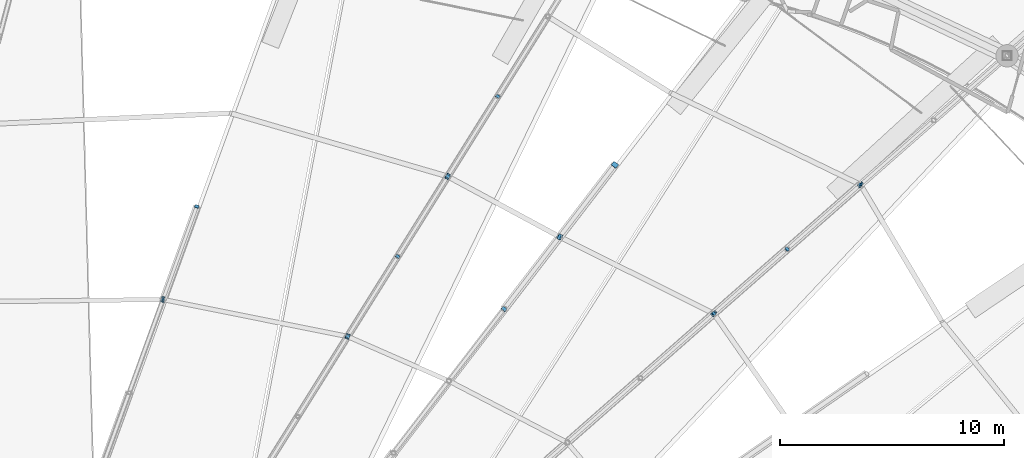
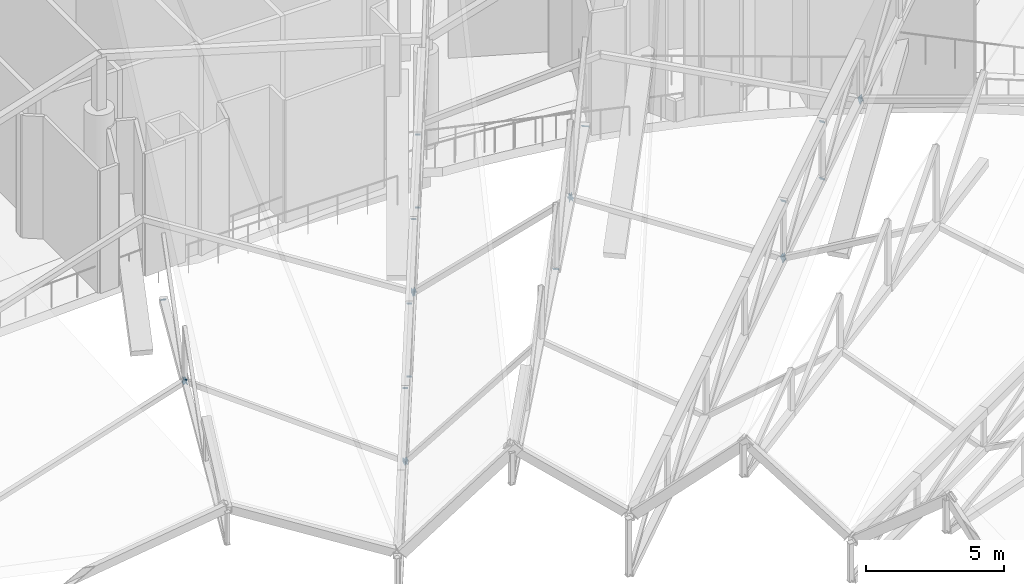
# One storey, part 333 of 344: 30 discrete accessories.
"""IFC4 building model written with IfcOpenShell, lengths in metres."""

from ifc_helpers import new_model, si_unit, direction, frame, origin, origin_2d, place, context, subcontext, project, spatial, rectangle, extrude, material, material_profile, profile_set, type_object, element, save


model = new_model("IFC4")

# Units and contexts
model_context = context("Model", 3, precision=1e-05, world=origin(), true_north=direction((0.0, 1.0)))
body_context = subcontext(model_context, "Body", "Model", "MODEL_VIEW")
ifc_project = project(units=[si_unit("LENGTHUNIT", "METRE"), si_unit("AREAUNIT", "SQUARE_METRE"), si_unit("VOLUMEUNIT", "CUBIC_METRE"), si_unit("PLANEANGLEUNIT", "RADIAN"), si_unit("MASSUNIT", "GRAM", prefix="KILO")], contexts=[model_context])

# Site, building, storey
site_placement = place(None, origin())
site = spatial("IfcSite", under=ifc_project, at=site_placement, CompositionType="ELEMENT")
building_placement = place(site_placement, origin())
building = spatial("IfcBuilding", under=site, at=building_placement, Name="Meseta Stadium", CompositionType="ELEMENT")
storey_placement = place(building_placement, frame((0.0, 0.0, 24.0)))
storey = spatial("IfcBuildingStorey", under=building, at=storey_placement, Name="L04", CompositionType="ELEMENT", Elevation=24.0)

# Discrete accessories
ifc_material_1 = material(Name="Steel S355", Category="steel")
ifc_material_profile_1 = material_profile(ifc_material_1, rectangle(XDim=0.179931640625, YDim=0.179931640625, at=origin_2d()), Name="PL 180x180")
ifc_profile_set_1 = profile_set([ifc_material_profile_1], Name="Steel S355")
discrete_accessory_type_1 = type_object("IfcDiscreteAccessoryType", Name="End plate 180x180x20", PredefinedType="ANCHORPLATE", material=ifc_profile_set_1)
for number, where, z_axis, x_axis, name in (
    (1, (51.51416015625, 73.2724609375, 5.814453125), (0.613369973061, 0.539765576293, 0.576567774677), (-0.660627894892, 0.750713516923, 0.0), "End plate of ROOF TRUSS RT-13 diagonal"),
    (2, (51.501953125, 73.26171875, 3.30908203125), (0.609031921418, 0.535948090848, 0.584670644561), (-0.660627894892, 0.750713516923, 0.0), "End plate of ROOF TRUSS RT-13 diagonal"),
    (3, (54.791259765625, 76.15234375, 6.417724609375), (0.613369973061, 0.539765576293, 0.576567774677), (-0.660627894892, 0.750713516923, 0.0), "End plate of ROOF TRUSS RT-13 diagonal"),
    (4, (54.77880859375, 76.1416015625, 3.91259765625), (0.620936240212, 0.535709697438, 0.572235358627), (-0.653233256547, 0.757156729179, 0.0), "End plate of ROOF TRUSS RT-13 diagonal"),
    (5, (58.055908203125, 79.021728515625, 4.515869140625), (0.613369973061, 0.539765576293, 0.576567774677), (-0.660627894892, 0.750713516923, 0.0), "End plate of ROOF TRUSS RT-13 diagonal"),
    (6, (35.15380859375, 72.25048828125, 3.904541015625), (0.389174620288, 0.620247051084, 0.681055585504), (-0.847063894508, 0.531491071064, 0.0), "End plate of ROOF TRUSS RT-15 diagonal"),
    (7, (35.146240234375, 72.23828125, 0.690673828125), (0.378442962685, 0.610391875299, 0.695846737841), (-0.849902691712, 0.526939668862, 0.0), "End plate of ROOF TRUSS RT-15 diagonal"),
    (8, (37.3896484375, 75.82568359375, 4.683349609375), (0.389174620288, 0.620247051084, 0.681055585504), (-0.847063894508, 0.531491071064, 0.0), "End plate of ROOF TRUSS RT-15 diagonal"),
):
    element("IfcDiscreteAccessory", number, at=place(storey_placement, frame(where, z_axis=z_axis, x_axis=x_axis)), inside=storey, type_object=discrete_accessory_type_1, Name=name, PredefinedType="ANCHORPLATE", context=body_context, shape_type="SweptSolid", body=[
        extrude(rectangle(XDim=0.179931640625, YDim=0.179931640625, at=origin_2d()), origin(), (0.0, 0.0, 1.0), 0.02001953125),
    ])
discrete_accessory_1_placement = place(storey_placement, frame((37.382080078125, 75.8134765625, 1.469482421875), z_axis=(0.381670375162, 0.615597379294, 0.68946906481), x_axis=(-0.849902691712, 0.526939668862, 0.0)))
element("IfcDiscreteAccessory", 9, at=discrete_accessory_1_placement, inside=storey, type_object=discrete_accessory_type_1, Name="End plate of ROOF TRUSS RT-15 diagonal", PredefinedType="ANCHORPLATE", context=body_context, shape_type="SweptSolid", body=[
    extrude(rectangle(XDim=0.179931640625, YDim=0.179931640625, at=origin_2d()), origin(), (0.0, 0.0, 1.0), 0.019775390625),
])
for number, where, z_axis, x_axis, name in (
    (10, (39.62548828125, 79.40087890625, 5.462158203125), (0.392114465117, 0.612678851745, 0.686200313954), (-0.842271400662, 0.539053696423, 0.0), "End plate of ROOF TRUSS RT-15 diagonal"),
    (11, (39.617919921875, 79.388427734375, 2.248291015625), (0.378781816324, 0.623157181694, 0.684251023036), (-0.854521941471, 0.519415297757, 0.0), "End plate of ROOF TRUSS RT-15 diagonal"),
    (12, (41.861328125, 82.97607421875, 6.24072265625), (0.388829709183, 0.607546420598, 0.692602919482), (-0.842271400662, 0.539053696423, 0.0), "End plate of ROOF TRUSS RT-15 diagonal"),
    (13, (41.853759765625, 82.963623046875, 3.027099609375), (0.378781816324, 0.623157181694, 0.684251023036), (-0.854521941471, 0.519415297757, 0.0), "End plate of ROOF TRUSS RT-15 diagonal"),
    (14, (26.895751953125, 73.88671875, 6.11328125), (0.268672545331, 0.744955693871, 0.610619421206), (-0.940690666396, 0.339265486241, 0.0), "End plate of ROOF TRUSS RT-16 diagonal"),
    (15, (28.40673828125, 78.050048828125, 6.6484375), (0.256269125106, 0.695587625287, 0.671181041944), (-0.938343116817, 0.345705358827, 0.0), "End plate of ROOF TRUSS RT-16 diagonal"),
):
    element("IfcDiscreteAccessory", number, at=place(storey_placement, frame(where, z_axis=z_axis, x_axis=x_axis)), inside=storey, type_object=discrete_accessory_type_1, Name=name, PredefinedType="ANCHORPLATE", context=body_context, shape_type="SweptSolid", body=[
        extrude(rectangle(XDim=0.179931640625, YDim=0.179931640625, at=origin_2d()), origin(), (0.0, 0.0, 1.0), 0.02001953125),
    ])
ifc_material_2 = material(Name="Steel S355", Category="steel")
ifc_material_profile_2 = material_profile(ifc_material_2, rectangle(XDim=0.219970703125, YDim=0.219970703125, at=origin_2d()), Name="PL 220x220")
ifc_profile_set_2 = profile_set([ifc_material_profile_2], Name="Steel S355")
discrete_accessory_type_2 = type_object("IfcDiscreteAccessoryType", Name="End plate 220x220x20", PredefinedType="ANCHORPLATE", material=ifc_profile_set_2)
for number, where, z_axis, x_axis, name in (
    (16, (42.138671875, 73.47265625, 5.96826171875), (0.452094425935, 0.586500876888, 0.672032254768), (-0.792010197197, 0.610507860339, 0.0), "End plate of ROOF TRUSS RT-14 diagonal"),
    (17, (44.614501953125, 76.6923828125, 6.3017578125), (0.416559077473, 0.551328190774, 0.722852516792), (-0.797867323922, 0.602833089186, 0.0), "End plate of ROOF TRUSS RT-14 diagonal"),
):
    element("IfcDiscreteAccessory", number, at=place(storey_placement, frame(where, z_axis=z_axis, x_axis=x_axis)), inside=storey, type_object=discrete_accessory_type_2, Name=name, PredefinedType="ANCHORPLATE", context=body_context, shape_type="SweptSolid", body=[
        extrude(rectangle(XDim=0.219970703125, YDim=0.219970703125, at=origin_2d()), origin(), (0.0, 0.0, 1.0), 0.02001953125),
    ])
ifc_material_3 = material(Name="Steel S355", Category="steel")
ifc_material_profile_3 = material_profile(ifc_material_3, rectangle(XDim=0.239990234375, YDim=0.239990234375, at=origin_2d()), Name="PL 240x240")
ifc_profile_set_3 = profile_set([ifc_material_profile_3], Name="Steel S355")
discrete_accessory_type_3 = type_object("IfcDiscreteAccessoryType", Name="End plate 240x240x20", PredefinedType="ANCHORPLATE", material=ifc_profile_set_3)
discrete_accessory_2_placement = place(storey_placement, frame((35.15380859375, 72.25048828125, 0.70458984375), z_axis=(-0.645143246776, 0.292140338163, -0.706005817226), x_axis=(-0.412507553308, -0.910954180222, 0.0)))
element("IfcDiscreteAccessory", 18, at=discrete_accessory_2_placement, inside=storey, type_object=discrete_accessory_type_3, Name="End plate of ROOF TRUSS STRUT RT-14/15", PredefinedType="ANCHORPLATE", context=body_context, shape_type="SweptSolid", body=[
    extrude(rectangle(XDim=0.239990234375, YDim=0.239990234375, at=origin_2d()), origin(), (0.0, 0.0, 1.0), 0.02001953125),
])
discrete_accessory_3_placement = place(storey_placement, frame((35.17041015625, 72.247314453125, 0.693603515625), z_axis=(-0.823531876813, 0.157439917626, 0.544984330244), x_axis=(-0.187775807301, -0.982211915114, 0.0)))
element("IfcDiscreteAccessory", 19, at=discrete_accessory_3_placement, inside=storey, type_object=discrete_accessory_type_3, Name="End plate of ROOF TRUSS STRUT RT-15/16", PredefinedType="ANCHORPLATE", context=body_context, shape_type="SweptSolid", body=[
    extrude(rectangle(XDim=0.239990234375, YDim=0.239990234375, at=origin_2d()), origin(), (0.0, 0.0, 1.0), 0.020263671875),
])
discrete_accessory_4_placement = place(storey_placement, frame((26.901123046875, 73.901611328125, 6.12548828125), z_axis=(-0.823404068903, 0.172054581562, 0.540742970623), x_axis=(-0.20453763878, -0.978858699876, 0.0)))
element("IfcDiscreteAccessory", 20, at=discrete_accessory_4_placement, inside=storey, type_object=discrete_accessory_type_3, Name="End plate of ROOF TRUSS STRUT RT-15/16", PredefinedType="ANCHORPLATE", context=body_context, shape_type="SweptSolid", body=[
    extrude(rectangle(XDim=0.239990234375, YDim=0.239990234375, at=origin_2d()), origin(), (0.0, 0.0, 1.0), 0.019775390625),
])
discrete_accessory_5_placement = place(storey_placement, frame((26.92041015625, 73.90185546875, 6.13134765625), z_axis=(-0.95675026865, -0.012110762894, -0.290658309463), x_axis=(0.012657213851, -0.99991989426, 0.0)))
element("IfcDiscreteAccessory", 21, at=discrete_accessory_5_placement, inside=storey, type_object=discrete_accessory_type_3, Name="End plate of ROOF TRUSS STRUT RT-16/17", PredefinedType="ANCHORPLATE", context=body_context, shape_type="SweptSolid", body=[
    extrude(rectangle(XDim=0.239990234375, YDim=0.239990234375, at=origin_2d()), origin(), (0.0, 0.0, 1.0), 0.020263671875),
])
ifc_material_4 = material(Name="Steel S355", Category="steel")
ifc_material_profile_4 = material_profile(ifc_material_4, rectangle(XDim=0.260009765625, YDim=0.260009765625, at=origin_2d()), Name="PL 260x260")
ifc_profile_set_4 = profile_set([ifc_material_profile_4], Name="Steel S355")
discrete_accessory_type_4 = type_object("IfcDiscreteAccessoryType", Name="End plate 260x260x20", PredefinedType="ANCHORPLATE", material=ifc_profile_set_4)
discrete_accessory_6_placement = place(storey_placement, frame((47.090087890625, 79.912109375, 6.635498046875), z_axis=(0.39294133793, 0.515735506033, 0.76132384224), x_axis=(-0.795431720032, 0.606043215263, 0.0)))
element("IfcDiscreteAccessory", 22, at=discrete_accessory_6_placement, inside=storey, type_object=discrete_accessory_type_4, Name="End plate of ROOF TRUSS RT-14 diagonal", PredefinedType="ANCHORPLATE", context=body_context, shape_type="SweptSolid", body=[
    extrude(rectangle(XDim=0.260009765625, YDim=0.260009765625, at=origin_2d()), origin(), (0.0, 0.0, 1.0), 0.019775390625),
])
for number, where, z_axis, x_axis, name in (
    (23, (51.51416015625, 73.2724609375, 3.32080078125), (-0.501531397154, 0.721715912978, -0.477066450951), (-0.821188788729, -0.570656615896, 0.0), "End plate of ROOF TRUSS STRUT RT-12/13"),
    (24, (58.068115234375, 79.032470703125, 4.52734375), (-0.486324434944, 0.814593428531, -0.316110882714), (-0.858621611902, -0.512609917554, 0.0), "End plate of ROOF TRUSS STRUT RT-12/13"),
    (25, (51.53076171875, 73.26416015625, 3.3134765625), (-0.831994933195, 0.415997466598, 0.367056588174), (-0.4472135955, -0.894427191, 0.0), "End plate of ROOF TRUSS STRUT RT-13/14"),
    (26, (44.622802734375, 76.703369140625, 6.316162109375), (-0.831994933195, 0.415997466598, 0.367056588174), (-0.4472135955, -0.894427191, 0.0), "End plate of ROOF TRUSS STRUT RT-13/14"),
    (27, (58.08544921875, 79.02392578125, 4.5224609375), (-0.869612340392, 0.42868213963, 0.244961222646), (-0.442153277977, -0.896939506753, 0.0), "End plate of ROOF TRUSS STRUT RT-13/14"),
):
    element("IfcDiscreteAccessory", number, at=place(storey_placement, frame(where, z_axis=z_axis, x_axis=x_axis)), inside=storey, type_object=discrete_accessory_type_4, Name=name, PredefinedType="ANCHORPLATE", context=body_context, shape_type="SweptSolid", body=[
        extrude(rectangle(XDim=0.260009765625, YDim=0.260009765625, at=origin_2d()), origin(), (0.0, 0.0, 1.0), 0.02001953125),
    ])
discrete_accessory_7_placement = place(storey_placement, frame((44.63720703125, 76.695556640625, 6.327880859375), z_axis=(-0.715007083864, 0.387800452265, -0.581700678397), x_axis=(-0.476763040378, -0.879031855697, 0.0)))
element("IfcDiscreteAccessory", 28, at=discrete_accessory_7_placement, inside=storey, type_object=discrete_accessory_type_4, Name="End plate of ROOF TRUSS STRUT RT-14/15", PredefinedType="ANCHORPLATE", context=body_context, shape_type="SweptSolid", body=[
    extrude(rectangle(XDim=0.260009765625, YDim=0.260009765625, at=origin_2d()), origin(), (0.0, 0.0, 1.0), 0.020263671875),
])
discrete_accessory_8_placement = place(storey_placement, frame((39.62548828125, 79.40087890625, 2.261962890625), z_axis=(-0.714092959981, 0.393982322748, -0.578661536537), x_axis=(-0.483077342911, -0.875577684027, 0.0)))
element("IfcDiscreteAccessory", 29, at=discrete_accessory_8_placement, inside=storey, type_object=discrete_accessory_type_4, Name="End plate of ROOF TRUSS STRUT RT-14/15", PredefinedType="ANCHORPLATE", context=body_context, shape_type="SweptSolid", body=[
    extrude(rectangle(XDim=0.260009765625, YDim=0.260009765625, at=origin_2d()), origin(), (0.0, 0.0, 1.0), 0.019775390625),
])
discrete_accessory_9_placement = place(storey_placement, frame((39.642822265625, 79.395751953125, 2.253173828125), z_axis=(-0.86239765409, 0.255075362477, 0.437272049961), x_axis=(-0.28362844186, -0.958934255811, 0.0)))
element("IfcDiscreteAccessory", 30, at=discrete_accessory_9_placement, inside=storey, type_object=discrete_accessory_type_4, Name="End plate of ROOF TRUSS STRUT RT-15/16", PredefinedType="ANCHORPLATE", context=body_context, shape_type="SweptSolid", body=[
    extrude(rectangle(XDim=0.260009765625, YDim=0.260009765625, at=origin_2d()), origin(), (0.0, 0.0, 1.0), 0.02001953125),
])

save(model, "model.ifc")
